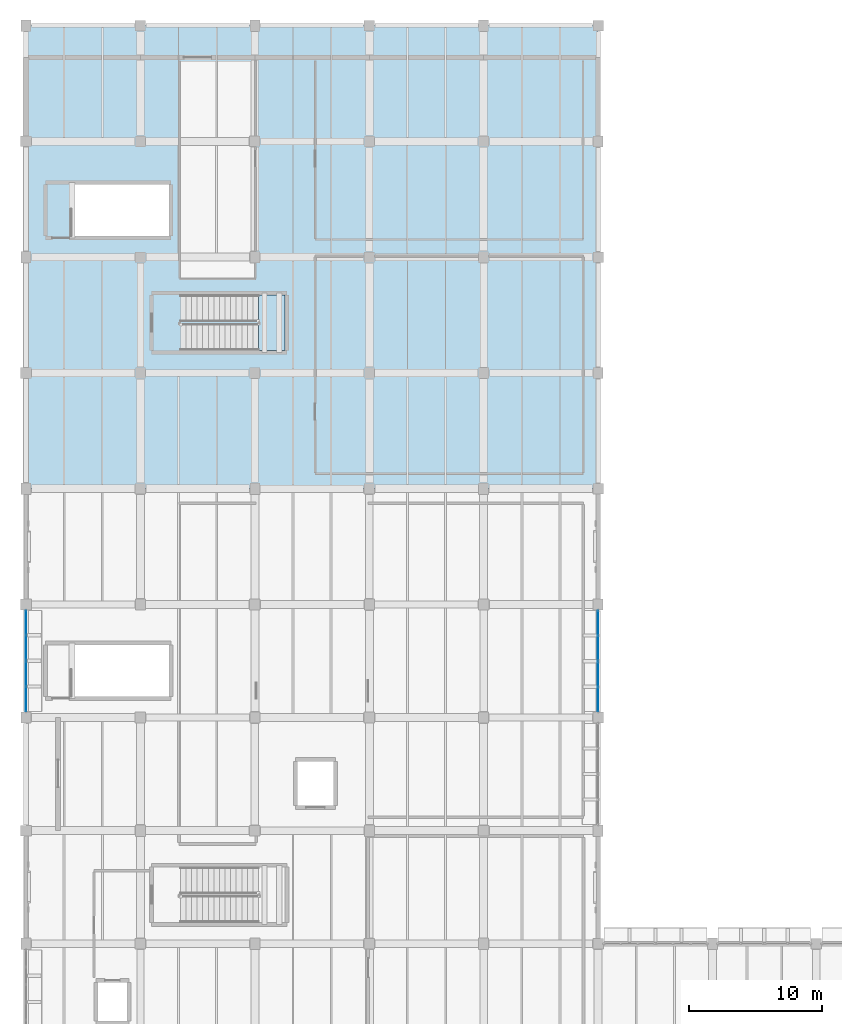
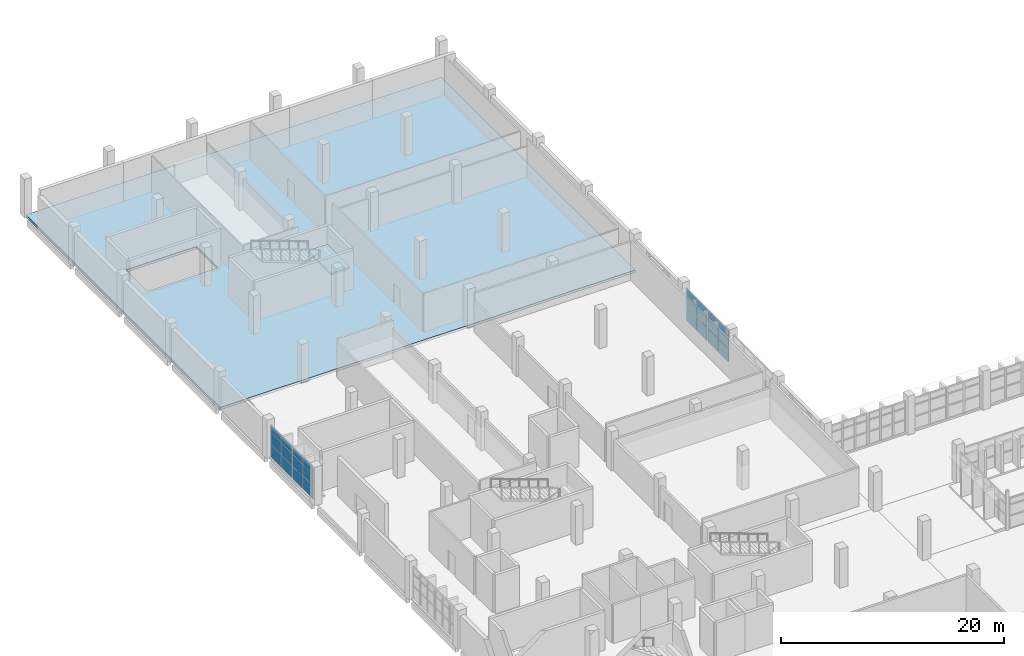
# One storey, part 55 of 76: 24 plates, 2 slabs, 5 elements without a shape of their own.
"""IFC4 building model written with IfcOpenShell, lengths in metres."""

from ifc_helpers import new_model, si_unit, direction, frame, origin, origin_2d, place, context, subcontext, project, spatial, polyline, rectangle, outline, extrude, material, layer, layer_set, type_object, element, aggregate, save


model = new_model("IFC4")

# Units and contexts
model_context = context("Model", 3, precision=1e-05, world=origin(), true_north=direction((0.0, 1.0)))
body_context = subcontext(model_context, "Body", "Model", "MODEL_VIEW")
ifc_project = project(units=[si_unit("LENGTHUNIT", "METRE"), si_unit("AREAUNIT", "SQUARE_METRE"), si_unit("VOLUMEUNIT", "CUBIC_METRE"), si_unit("PLANEANGLEUNIT", "RADIAN"), si_unit("MASSUNIT", "GRAM", prefix="KILO")], contexts=[model_context])

# Site, building, storey
site_placement = place(None, origin())
site = spatial("IfcSite", under=ifc_project, at=site_placement, CompositionType="ELEMENT")
building_placement = place(site_placement, origin())
building = spatial("IfcBuilding", under=site, at=building_placement, Name="Varnakota Cinema and Media Centre", CompositionType="ELEMENT")
storey_placement = place(building_placement, origin())
storey = spatial("IfcBuildingStorey", under=building, at=storey_placement, Name="L00", CompositionType="ELEMENT", Elevation=0.0)

# Curtain wall, plates
ifc_material_1 = material(Name="Thermally broken anodised aluminium AW-6063", Category="aluminium")
curtain_wall_type_1 = type_object("IfcCurtainWallType", Name="CW-STD-382x358", PredefinedType="USERDEFINED", material=ifc_material_1)
curtain_wall_1_placement = place(storey_placement, origin())
curtain_wall_1 = element("IfcCurtainWall", 1, at=curtain_wall_1_placement, inside=storey, type_object=curtain_wall_type_1, Name="L00 curtain wall CW-L00-V5-E-03-1", ObjectType="UNITISED CURTAIN WALL", PredefinedType="USERDEFINED")
ifc_material_2 = material(Name="Laminated solar-control double glazing", Category="glass")
ifc_layer_1 = layer(ifc_material_2, 0.028076171875)
ifc_layer_set_1 = layer_set([ifc_layer_1], Name="Laminated solar-control double glazing")
plate_type = type_object("IfcPlateType", Name="CWP-DGU-28", PredefinedType="CURTAIN_PANEL", material=ifc_layer_set_1)
plate_1_placement = place(storey_placement, frame((43.0, 62.37060546875, 0.06494140625), z_axis=(0.0, 0.0, 1.0), x_axis=(0.0, 1.0, 0.0)))
plate_1 = element("IfcPlate", 2, at=plate_1_placement, type_object=plate_type, Name="CW14 panel 1.1", PredefinedType="CURTAIN_PANEL", context=body_context, shape_type="SweptSolid", body=[
    extrude(rectangle(XDim=1.811279296875, YDim=0.028076171875, at=origin_2d()), origin(), (0.0, 0.0, 1.0), 1.408203125),
])
plate_2_placement = place(storey_placement, frame((43.0, 62.37060546875, 1.5380859375), z_axis=(0.0, 0.0, 1.0), x_axis=(0.0, 1.0, 0.0)))
plate_2 = element("IfcPlate", 3, at=plate_2_placement, type_object=plate_type, Name="CW14 panel 1.2", PredefinedType="CURTAIN_PANEL", context=body_context, shape_type="SweptSolid", body=[
    extrude(rectangle(XDim=1.811279296875, YDim=0.028076171875, at=origin_2d()), origin(), (0.0, 0.0, 1.0), 1.2255859375),
])
plate_3_placement = place(storey_placement, frame((43.0, 62.37060546875, 2.82861328125), z_axis=(0.0, 0.0, 1.0), x_axis=(0.0, 1.0, 0.0)))
plate_3 = element("IfcPlate", 4, at=plate_3_placement, type_object=plate_type, Name="CW14 panel 1.3", PredefinedType="CURTAIN_PANEL", context=body_context, shape_type="SweptSolid", body=[
    extrude(rectangle(XDim=1.811279296875, YDim=0.028076171875, at=origin_2d()), origin(), (0.0, 0.0, 1.0), 0.691162109375),
])
plate_4_placement = place(storey_placement, frame((43.0, 64.246826171875, 0.06494140625), z_axis=(0.0, 0.0, 1.0), x_axis=(0.0, 1.0, 0.0)))
plate_4 = element("IfcPlate", 5, at=plate_4_placement, type_object=plate_type, Name="CW14 panel 2.1", PredefinedType="CURTAIN_PANEL", context=body_context, shape_type="SweptSolid", body=[
    extrude(rectangle(XDim=1.811279296875, YDim=0.028076171875, at=origin_2d()), origin(), (0.0, 0.0, 1.0), 1.408203125),
])
plate_5_placement = place(storey_placement, frame((43.0, 64.246826171875, 1.5380859375), z_axis=(0.0, 0.0, 1.0), x_axis=(0.0, 1.0, 0.0)))
plate_5 = element("IfcPlate", 6, at=plate_5_placement, type_object=plate_type, Name="CW14 panel 2.2", PredefinedType="CURTAIN_PANEL", context=body_context, shape_type="SweptSolid", body=[
    extrude(rectangle(XDim=1.811279296875, YDim=0.028076171875, at=origin_2d()), origin(), (0.0, 0.0, 1.0), 1.2255859375),
])
plate_6_placement = place(storey_placement, frame((43.0, 64.246826171875, 2.82861328125), z_axis=(0.0, 0.0, 1.0), x_axis=(0.0, 1.0, 0.0)))
plate_6 = element("IfcPlate", 7, at=plate_6_placement, type_object=plate_type, Name="CW14 panel 2.3", PredefinedType="CURTAIN_PANEL", context=body_context, shape_type="SweptSolid", body=[
    extrude(rectangle(XDim=1.811279296875, YDim=0.028076171875, at=origin_2d()), origin(), (0.0, 0.0, 1.0), 0.691162109375),
])
aggregate(curtain_wall_1, [plate_1, plate_2, plate_3, plate_4, plate_5, plate_6])

curtain_wall_2_placement = place(storey_placement, origin())
curtain_wall_2 = element("IfcCurtainWall", 8, at=curtain_wall_2_placement, inside=storey, type_object=curtain_wall_type_1, Name="L00 curtain wall CW-L00-V5-E-03-2", ObjectType="UNITISED CURTAIN WALL", PredefinedType="USERDEFINED")
plate_7_placement = place(storey_placement, frame((43.0, 66.22802734375, 0.06494140625), z_axis=(0.0, 0.0, 1.0), x_axis=(0.0, 1.0, 0.0)))
plate_7 = element("IfcPlate", 9, at=plate_7_placement, type_object=plate_type, Name="CW14 panel 1.1", PredefinedType="CURTAIN_PANEL", context=body_context, shape_type="SweptSolid", body=[
    extrude(rectangle(XDim=1.811279296875, YDim=0.028076171875, at=origin_2d()), origin(), (0.0, 0.0, 1.0), 1.408203125),
])
plate_8_placement = place(storey_placement, frame((43.0, 66.22802734375, 1.5380859375), z_axis=(0.0, 0.0, 1.0), x_axis=(0.0, 1.0, 0.0)))
plate_8 = element("IfcPlate", 10, at=plate_8_placement, type_object=plate_type, Name="CW14 panel 1.2", PredefinedType="CURTAIN_PANEL", context=body_context, shape_type="SweptSolid", body=[
    extrude(rectangle(XDim=1.811279296875, YDim=0.028076171875, at=origin_2d()), origin(), (0.0, 0.0, 1.0), 1.2255859375),
])
plate_9_placement = place(storey_placement, frame((43.0, 66.22802734375, 2.82861328125), z_axis=(0.0, 0.0, 1.0), x_axis=(0.0, 1.0, 0.0)))
plate_9 = element("IfcPlate", 11, at=plate_9_placement, type_object=plate_type, Name="CW14 panel 1.3", PredefinedType="CURTAIN_PANEL", context=body_context, shape_type="SweptSolid", body=[
    extrude(rectangle(XDim=1.811279296875, YDim=0.028076171875, at=origin_2d()), origin(), (0.0, 0.0, 1.0), 0.691162109375),
])
plate_10_placement = place(storey_placement, frame((43.0, 68.1044921875, 0.06494140625), z_axis=(0.0, 0.0, 1.0), x_axis=(0.0, 1.0, 0.0)))
plate_10 = element("IfcPlate", 12, at=plate_10_placement, type_object=plate_type, Name="CW14 panel 2.1", PredefinedType="CURTAIN_PANEL", context=body_context, shape_type="SweptSolid", body=[
    extrude(rectangle(XDim=1.811279296875, YDim=0.028076171875, at=origin_2d()), origin(), (0.0, 0.0, 1.0), 1.408203125),
])
plate_11_placement = place(storey_placement, frame((43.0, 68.1044921875, 1.5380859375), z_axis=(0.0, 0.0, 1.0), x_axis=(0.0, 1.0, 0.0)))
plate_11 = element("IfcPlate", 13, at=plate_11_placement, type_object=plate_type, Name="CW14 panel 2.2", PredefinedType="CURTAIN_PANEL", context=body_context, shape_type="SweptSolid", body=[
    extrude(rectangle(XDim=1.811279296875, YDim=0.028076171875, at=origin_2d()), origin(), (0.0, 0.0, 1.0), 1.2255859375),
])
plate_12_placement = place(storey_placement, frame((43.0, 68.1044921875, 2.82861328125), z_axis=(0.0, 0.0, 1.0), x_axis=(0.0, 1.0, 0.0)))
plate_12 = element("IfcPlate", 14, at=plate_12_placement, type_object=plate_type, Name="CW14 panel 2.3", PredefinedType="CURTAIN_PANEL", context=body_context, shape_type="SweptSolid", body=[
    extrude(rectangle(XDim=1.811279296875, YDim=0.028076171875, at=origin_2d()), origin(), (0.0, 0.0, 1.0), 0.691162109375),
])
aggregate(curtain_wall_2, [plate_7, plate_8, plate_9, plate_10, plate_11, plate_12])

ifc_material_3 = material(Name="Thermally broken anodised aluminium AW-6063", Category="aluminium")
curtain_wall_type_2 = type_object("IfcCurtainWallType", Name="CW-STD-382x364", PredefinedType="USERDEFINED", material=ifc_material_3)
curtain_wall_3_placement = place(storey_placement, origin())
curtain_wall_3 = element("IfcCurtainWall", 15, at=curtain_wall_3_placement, inside=storey, type_object=curtain_wall_type_2, Name="L00 curtain wall CW-L00-V5-W-N-02-1", ObjectType="UNITISED CURTAIN WALL", PredefinedType="USERDEFINED")
plate_13_placement = place(storey_placement, frame((0.0, 68.12939453125, 0.06494140625), z_axis=(0.0, 0.0, 1.0), x_axis=(0.0, -1.0, 0.0)))
plate_13 = element("IfcPlate", 16, at=plate_13_placement, type_object=plate_type, Name="CW15 panel 1.1", PredefinedType="CURTAIN_PANEL", context=body_context, shape_type="SweptSolid", body=[
    extrude(rectangle(XDim=1.811279296875, YDim=0.028076171875, at=origin_2d()), origin(), (0.0, 0.0, 1.0), 1.42919921875),
])
plate_14_placement = place(storey_placement, frame((0.0, 68.12939453125, 1.55908203125), z_axis=(0.0, 0.0, 1.0), x_axis=(0.0, -1.0, 0.0)))
plate_14 = element("IfcPlate", 17, at=plate_14_placement, type_object=plate_type, Name="CW15 panel 1.2", PredefinedType="CURTAIN_PANEL", context=body_context, shape_type="SweptSolid", body=[
    extrude(rectangle(XDim=1.811279296875, YDim=0.028076171875, at=origin_2d()), origin(), (0.0, 0.0, 1.0), 1.24365234375),
])
plate_15_placement = place(storey_placement, frame((0.0, 68.12939453125, 2.867919921875), z_axis=(0.0, 0.0, 1.0), x_axis=(0.0, -1.0, 0.0)))
plate_15 = element("IfcPlate", 18, at=plate_15_placement, type_object=plate_type, Name="CW15 panel 1.3", PredefinedType="CURTAIN_PANEL", context=body_context, shape_type="SweptSolid", body=[
    extrude(rectangle(XDim=1.811279296875, YDim=0.028076171875, at=origin_2d()), origin(), (0.0, 0.0, 1.0), 0.7021484375),
])
plate_16_placement = place(storey_placement, frame((0.0, 66.253173828125, 0.06494140625), z_axis=(0.0, 0.0, 1.0), x_axis=(0.0, -1.0, 0.0)))
plate_16 = element("IfcPlate", 19, at=plate_16_placement, type_object=plate_type, Name="CW15 panel 2.1", PredefinedType="CURTAIN_PANEL", context=body_context, shape_type="SweptSolid", body=[
    extrude(rectangle(XDim=1.811279296875, YDim=0.028076171875, at=origin_2d()), origin(), (0.0, 0.0, 1.0), 1.42919921875),
])
plate_17_placement = place(storey_placement, frame((0.0, 66.253173828125, 1.55908203125), z_axis=(0.0, 0.0, 1.0), x_axis=(0.0, -1.0, 0.0)))
plate_17 = element("IfcPlate", 20, at=plate_17_placement, type_object=plate_type, Name="CW15 panel 2.2", PredefinedType="CURTAIN_PANEL", context=body_context, shape_type="SweptSolid", body=[
    extrude(rectangle(XDim=1.811279296875, YDim=0.028076171875, at=origin_2d()), origin(), (0.0, 0.0, 1.0), 1.24365234375),
])
plate_18_placement = place(storey_placement, frame((0.0, 66.253173828125, 2.867919921875), z_axis=(0.0, 0.0, 1.0), x_axis=(0.0, -1.0, 0.0)))
plate_18 = element("IfcPlate", 21, at=plate_18_placement, type_object=plate_type, Name="CW15 panel 2.3", PredefinedType="CURTAIN_PANEL", context=body_context, shape_type="SweptSolid", body=[
    extrude(rectangle(XDim=1.811279296875, YDim=0.028076171875, at=origin_2d()), origin(), (0.0, 0.0, 1.0), 0.7021484375),
])
aggregate(curtain_wall_3, [plate_13, plate_14, plate_15, plate_16, plate_17, plate_18])

curtain_wall_4_placement = place(storey_placement, origin())
curtain_wall_4 = element("IfcCurtainWall", 22, at=curtain_wall_4_placement, inside=storey, type_object=curtain_wall_type_2, Name="L00 curtain wall CW-L00-V5-W-N-02-2", ObjectType="UNITISED CURTAIN WALL", PredefinedType="USERDEFINED")
plate_19_placement = place(storey_placement, frame((0.0, 64.27197265625, 0.06494140625), z_axis=(0.0, 0.0, 1.0), x_axis=(0.0, -1.0, 0.0)))
plate_19 = element("IfcPlate", 23, at=plate_19_placement, type_object=plate_type, Name="CW15 panel 1.1", PredefinedType="CURTAIN_PANEL", context=body_context, shape_type="SweptSolid", body=[
    extrude(rectangle(XDim=1.811279296875, YDim=0.028076171875, at=origin_2d()), origin(), (0.0, 0.0, 1.0), 1.42919921875),
])
plate_20_placement = place(storey_placement, frame((0.0, 64.27197265625, 1.55908203125), z_axis=(0.0, 0.0, 1.0), x_axis=(0.0, -1.0, 0.0)))
plate_20 = element("IfcPlate", 24, at=plate_20_placement, type_object=plate_type, Name="CW15 panel 1.2", PredefinedType="CURTAIN_PANEL", context=body_context, shape_type="SweptSolid", body=[
    extrude(rectangle(XDim=1.811279296875, YDim=0.028076171875, at=origin_2d()), origin(), (0.0, 0.0, 1.0), 1.24365234375),
])
plate_21_placement = place(storey_placement, frame((0.0, 64.27197265625, 2.867919921875), z_axis=(0.0, 0.0, 1.0), x_axis=(0.0, -1.0, 0.0)))
plate_21 = element("IfcPlate", 25, at=plate_21_placement, type_object=plate_type, Name="CW15 panel 1.3", PredefinedType="CURTAIN_PANEL", context=body_context, shape_type="SweptSolid", body=[
    extrude(rectangle(XDim=1.811279296875, YDim=0.028076171875, at=origin_2d()), origin(), (0.0, 0.0, 1.0), 0.7021484375),
])
plate_22_placement = place(storey_placement, frame((0.0, 62.3955078125, 0.06494140625), z_axis=(0.0, 0.0, 1.0), x_axis=(0.0, -1.0, 0.0)))
plate_22 = element("IfcPlate", 26, at=plate_22_placement, type_object=plate_type, Name="CW15 panel 2.1", PredefinedType="CURTAIN_PANEL", context=body_context, shape_type="SweptSolid", body=[
    extrude(rectangle(XDim=1.811279296875, YDim=0.028076171875, at=origin_2d()), origin(), (0.0, 0.0, 1.0), 1.42919921875),
])
plate_23_placement = place(storey_placement, frame((0.0, 62.3955078125, 1.55908203125), z_axis=(0.0, 0.0, 1.0), x_axis=(0.0, -1.0, 0.0)))
plate_23 = element("IfcPlate", 27, at=plate_23_placement, type_object=plate_type, Name="CW15 panel 2.2", PredefinedType="CURTAIN_PANEL", context=body_context, shape_type="SweptSolid", body=[
    extrude(rectangle(XDim=1.811279296875, YDim=0.028076171875, at=origin_2d()), origin(), (0.0, 0.0, 1.0), 1.24365234375),
])
plate_24_placement = place(storey_placement, frame((0.0, 62.3955078125, 2.867919921875), z_axis=(0.0, 0.0, 1.0), x_axis=(0.0, -1.0, 0.0)))
plate_24 = element("IfcPlate", 28, at=plate_24_placement, type_object=plate_type, Name="CW15 panel 2.3", PredefinedType="CURTAIN_PANEL", context=body_context, shape_type="SweptSolid", body=[
    extrude(rectangle(XDim=1.811279296875, YDim=0.028076171875, at=origin_2d()), origin(), (0.0, 0.0, 1.0), 0.7021484375),
])
aggregate(curtain_wall_4, [plate_19, plate_20, plate_21, plate_22, plate_23, plate_24])

# Slab
ifc_material_4 = material(Name="Concrete M35", Category="concrete")
ifc_layer_2 = layer(ifc_material_4, 0.280029296875)
ifc_layer_set_2 = layer_set([ifc_layer_2], Name="Concrete M35")
slab_type_1 = type_object("IfcSlabType", Name="SLB-FLR-280", PredefinedType="FLOOR", material=ifc_layer_set_2)
slab_1_placement = place(storey_placement, frame((0.0, 0.0, -0.280029296875)))
element("IfcSlab", 29, at=slab_1_placement, inside=storey, type_object=slab_type_1, Name="L00 V7 floor slab", PredefinedType="FLOOR", context=body_context, shape_type="SweptSolid", body=[
    extrude(outline(polyline([(0.0, 78.199951171875), (43.0, 78.199951171875), (43.0, 113.0), (0.0, 113.0), (0.0, 78.199951171875)]), holes=[polyline([(3.449951171875, 97.199951171875), (10.760009765625, 97.199951171875), (10.760009765625, 101.050048828125), (3.449951171875, 101.050048828125), (3.449951171875, 97.199951171875)])]), origin(), (0.0, 0.0, 1.0), 0.280029296875),
])

# Stair, slab
ifc_material_5 = material(Name="Concrete M35", Category="concrete")
stair_type = type_object("IfcStairType", Name="STR-CORE-ST-05-2000", PredefinedType="HALF_TURN_STAIR", material=ifc_material_5)
stair_placement = place(storey_placement, origin())
stair = element("IfcStair", 30, at=stair_placement, inside=storey, type_object=stair_type, Name="L00 North Editing Escape Stair 5", PredefinedType="HALF_TURN_STAIR")
ifc_material_6 = material(Name="Concrete M35", Category="concrete")
ifc_layer_3 = layer(ifc_material_6, 0.199951171875)
ifc_layer_set_3 = layer_set([ifc_layer_3], Name="Concrete M35")
slab_type_2 = type_object("IfcSlabType", Name="SLB-LAND-ST-05", PredefinedType="LANDING", material=ifc_layer_set_3)
slab_2_placement = place(storey_placement, frame((0.0, 0.0, 2.050048828125)))
slab_2 = element("IfcSlab", 31, at=slab_2_placement, type_object=slab_type_2, Name="ST-05 landing 1", PredefinedType="LANDING", context=body_context, shape_type="SweptSolid", body=[
    extrude(outline(polyline([(17.47998046875, 88.60009765625), (19.47998046875, 88.60009765625), (19.47998046875, 92.75), (17.47998046875, 92.75), (17.47998046875, 88.60009765625)])), origin(), (0.0, 0.0, 1.0), 0.199951171875),
])
aggregate(stair, [slab_2])

save(model, "model.ifc")
